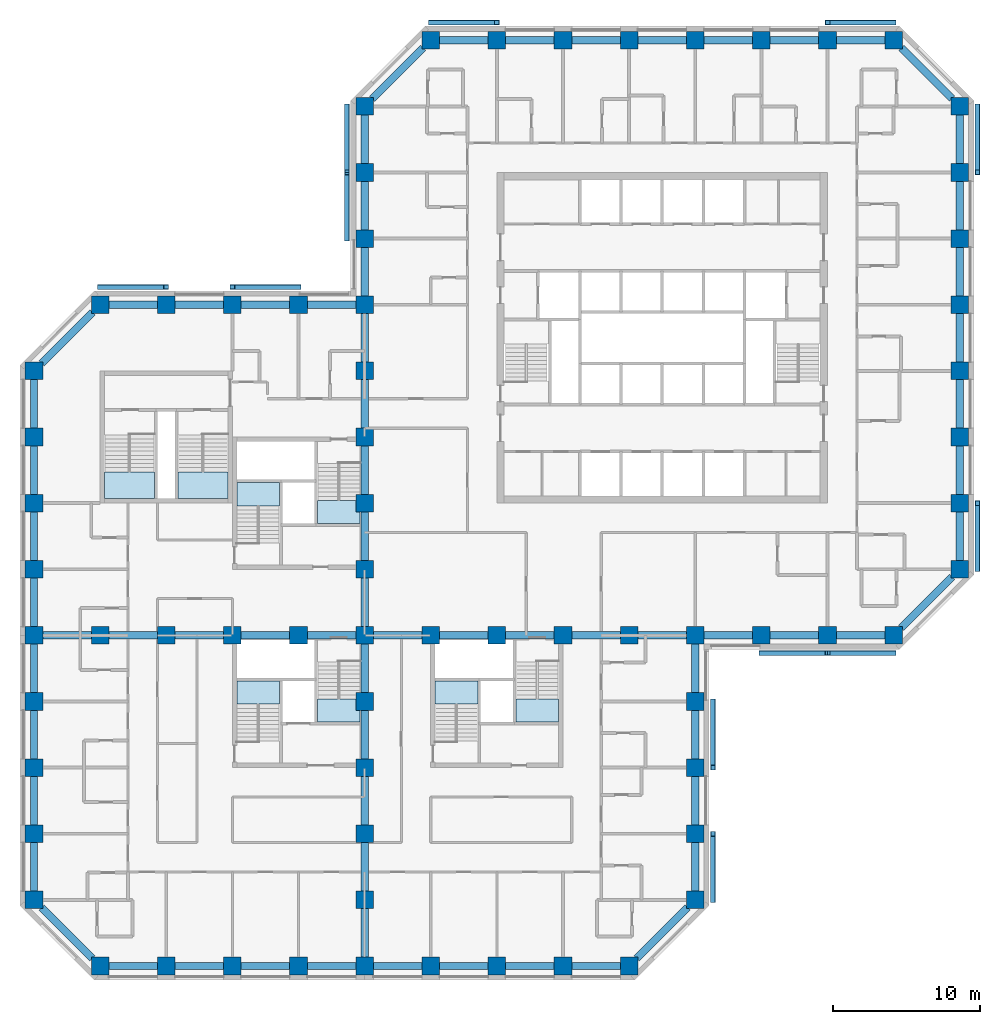
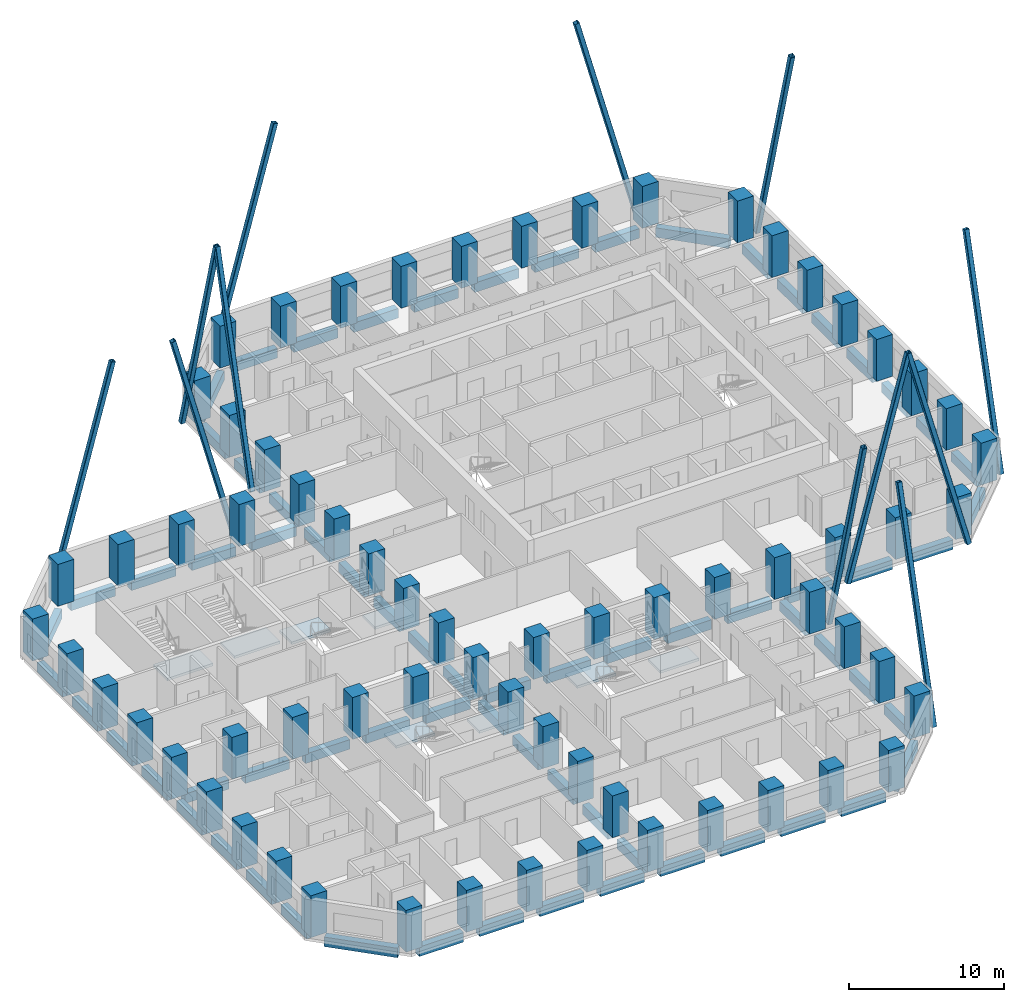
# One storey, part 1 of 14: 70 beams, 67 columns, 12 members, 8 slabs, 8 elements without a shape of their own.
"""IFC4 building model written with IfcOpenShell, lengths in metres."""

import ifcopenshell
import ifcopenshell.guid

model = None  # the IFC model being written
_history = None  # IfcOwnerHistory: only IFC2X3 demands one
_inside = {}  # id of a spatial element -> (the spatial element, [elements in it])
_under = {}  # id of a project, library or spatial element -> (it, [spatial elements below it])
_declared = {}  # id of a project -> (the project, [libraries it declares])
_typed = {}  # id of a type object -> (the type object, [elements of that type])
_made_of = {}  # id of a material, layer set ... -> (it, [elements and type objects made of it])


def new_model(schema):
    """Start an empty IFC model of exactly this schema.

    Asked for "IFC4X3", IfcOpenShell would pick the latest addendum, in which some entities
    have other attributes; the version numbers below select the first issue.
    IFC2X3 requires an IfcOwnerHistory on every rooted entity: one is made here for all.
    """
    global model, _history
    if schema == "IFC4X3":
        model = ifcopenshell.file(schema_version=(4, 3, 0, 0))
    else:
        model = ifcopenshell.file(schema=schema)
    _inside.clear()
    _under.clear()
    _declared.clear()
    _typed.clear()
    _made_of.clear()
    _history = None
    if model.schema == "IFC2X3":
        org = make("IfcOrganization", Name="unknown")
        user = make(
            "IfcPersonAndOrganization",
            ThePerson=make("IfcPerson", FamilyName="unknown"),
            TheOrganization=org,
        )
        app = make(
            "IfcApplication",
            ApplicationDeveloper=org,
            Version="unknown",
            ApplicationFullName="unknown",
            ApplicationIdentifier="unknown",
        )
        _history = make(
            "IfcOwnerHistory",
            OwningUser=user,
            OwningApplication=app,
            ChangeAction="ADDED",
            CreationDate=0,
        )
    return model


def make(cls, **values):
    """One entity of the class cls with the attributes given. An attribute that is None is left unset."""
    return model.create_entity(
        cls, **{name: value for name, value in values.items() if value is not None}
    )


def rooted(cls, **values):
    """An entity with a GlobalId (a new one), such as an element, a storey or a relation."""
    return make(cls, GlobalId=ifcopenshell.guid.new(), OwnerHistory=_history, **values)


def si_unit(unit_type, name, prefix=None):
    """IfcSIUnit, for example si_unit("LENGTHUNIT", "METRE", prefix="MILLI")."""
    return make("IfcSIUnit", UnitType=unit_type, Prefix=prefix, Name=name)


def assignment(units):
    """IfcUnitAssignment: the units of a project."""
    return None if units is None else make("IfcUnitAssignment", Units=units)


def point(xyz):
    """IfcCartesianPoint."""
    return None if xyz is None else make("IfcCartesianPoint", Coordinates=xyz)


def direction(xyz):
    """IfcDirection."""
    return None if xyz is None else make("IfcDirection", DirectionRatios=xyz)


def frame(location, z_axis=None, x_axis=None):
    """IfcAxis2Placement3D, a coordinate frame: its origin and axes. An axis left out is left unset."""
    return make(
        "IfcAxis2Placement3D",
        Location=point(location),
        Axis=direction(z_axis),
        RefDirection=direction(x_axis),
    )


def frame_2d(location, x_axis=None):
    """IfcAxis2Placement2D, a coordinate frame in the plane: its origin and x axis."""
    return make(
        "IfcAxis2Placement2D", Location=point(location), RefDirection=direction(x_axis)
    )


def origin():
    """The frame at (0, 0, 0) with its axes left unset."""
    return frame((0.0, 0.0, 0.0))


def origin_2d():
    """The frame at (0, 0) in the plane with its x axis left unset."""
    return frame_2d((0.0, 0.0))


def place(relative_to, where):
    """IfcLocalPlacement: puts the frame where relative to a parent placement (None: the world)."""
    return make(
        "IfcLocalPlacement", PlacementRelTo=relative_to, RelativePlacement=where
    )


def context(
    kind, dimensions, precision=None, world=None, true_north=None, identifier=None
):
    """IfcGeometricRepresentationContext, for example the 3D "Model" context."""
    return make(
        "IfcGeometricRepresentationContext",
        ContextIdentifier=identifier,
        ContextType=kind,
        CoordinateSpaceDimension=dimensions,
        Precision=precision,
        WorldCoordinateSystem=world,
        TrueNorth=true_north,
    )


def subcontext(parent, identifier, kind, view, scale=None):
    """IfcGeometricRepresentationSubContext, for example "Body" below "Model"."""
    return make(
        "IfcGeometricRepresentationSubContext",
        ContextIdentifier=identifier,
        ContextType=kind,
        ParentContext=parent,
        TargetScale=scale,
        TargetView=view,
    )


def project(units=None, contexts=None):
    """IfcProject with its units and contexts."""
    return rooted(
        "IfcProject",
        Name="project",
        RepresentationContexts=contexts,
        UnitsInContext=assignment(units),
    )


def spatial(cls, under=None, at=None, **own):
    """A site, building, storey or space (cls), placed at a placement, below another one or the project."""
    s = rooted(cls, ObjectPlacement=at, **own)
    if under is not None:
        _under.setdefault(under.id(), (under, []))[1].append(s)
    return s


def polyline(points):
    """IfcPolyline through the points."""
    return make("IfcPolyline", Points=[point(p) for p in points])


def profile(cls, at=None, kind="AREA", **sizes):
    """A parametric profile (cls). Its sizes go by their IFC names, for example OverallWidth=200.0."""
    return make(cls, ProfileType=kind, Position=at, **sizes)


def rectangle(**sizes):
    """IfcRectangleProfileDef."""
    return profile("IfcRectangleProfileDef", **sizes)


def hollow_rectangle(**sizes):
    """IfcRectangleHollowProfileDef."""
    return profile("IfcRectangleHollowProfileDef", **sizes)


def outline(outer, holes=None, kind="AREA"):
    """IfcArbitraryClosedProfileDef: a profile drawn as a closed curve; with holes, ...WithVoids."""
    if holes is None:
        return make("IfcArbitraryClosedProfileDef", ProfileType=kind, OuterCurve=outer)
    return make(
        "IfcArbitraryProfileDefWithVoids",
        ProfileType=kind,
        OuterCurve=outer,
        InnerCurves=holes,
    )


def extrude(swept, where, along, depth):
    """IfcExtrudedAreaSolid: the profile swept, set in the frame where, extruded along a direction by depth."""
    return make(
        "IfcExtrudedAreaSolid",
        SweptArea=swept,
        Position=where,
        ExtrudedDirection=direction(along),
        Depth=depth,
    )


def shape(context_of_items, identifier, shape_type, items):
    """IfcShapeRepresentation: the items that make up one representation, for example the "Body"."""
    return make(
        "IfcShapeRepresentation",
        ContextOfItems=context_of_items,
        RepresentationIdentifier=identifier,
        RepresentationType=shape_type,
        Items=items,
    )


def material(Name=None, Category=None):
    """IfcMaterial."""
    return make("IfcMaterial", Name=Name, Category=Category)


def layer(
    of_material, thickness, ventilated=None, Name=None, Category=None, Priority=None
):
    """IfcMaterialLayer: one layer of a wall or slab, of a material (None: an air gap)."""
    return make(
        "IfcMaterialLayer",
        Material=of_material,
        LayerThickness=thickness,
        IsVentilated=ventilated,
        Name=Name,
        Category=Category,
        Priority=Priority,
    )


def layer_set(layers, Name=None):
    """IfcMaterialLayerSet."""
    return make("IfcMaterialLayerSet", MaterialLayers=layers, LayerSetName=Name)


def material_profile(
    of_material, cross_section, Name=None, Category=None, Priority=None
):
    """IfcMaterialProfile: a cross section and its material."""
    return make(
        "IfcMaterialProfile",
        Name=Name,
        Material=of_material,
        Profile=cross_section,
        Priority=Priority,
        Category=Category,
    )


def profile_set(profiles, Name=None, composite=None):
    """IfcMaterialProfileSet."""
    return make(
        "IfcMaterialProfileSet",
        Name=Name,
        MaterialProfiles=profiles,
        CompositeProfile=composite,
    )


def made_of(thing, what):
    """Note that an element or type object is made of a material, layer set ...; save() writes the relation."""
    if what is not None:
        _made_of.setdefault(what.id(), (what, []))[1].append(thing)
    return thing


def type_object(cls, material=None, **own):
    """A type object (cls), such as IfcWallType, which elements share."""
    return made_of(rooted(cls, **own), material)


def element(
    cls,
    number,
    at=None,
    inside=None,
    cuts=None,
    type_object=None,
    material=None,
    context=None,
    identifier="Body",
    shape_type=None,
    held_by="IfcProductDefinitionShape",
    body=None,
    shapes=None,
    **own,
):
    """One element of the class cls, such as IfcWall. Its Tag is "e" and its number.

    at: its placement. inside: the storey or other place that contains it. cuts: it is an
    opening in that element (IfcRelVoidsElement). A single representation is given by context,
    identifier, shape_type and body (its items); several are given by shapes. held_by: the class
    of the entity that holds the representations. save() writes the other relations.
    """
    e = rooted(cls, Tag="e%d" % number, ObjectPlacement=at, **own)
    if body is not None:
        shapes = [shape(context, identifier, shape_type, body)]
    if shapes is not None:
        e.Representation = make(held_by, Representations=shapes)
    if inside is not None:
        _inside.setdefault(inside.id(), (inside, []))[1].append(e)
    if cuts is not None:
        rooted(
            "IfcRelVoidsElement", RelatingBuildingElement=cuts, RelatedOpeningElement=e
        )
    if type_object is not None:
        _typed.setdefault(type_object.id(), (type_object, []))[1].append(e)
    return made_of(e, material)


def aggregate(whole, parts):
    """IfcRelAggregates: a whole, such as a stair, and the parts it consists of."""
    return rooted("IfcRelAggregates", RelatingObject=whole, RelatedObjects=parts)


def save(model, path):
    """Write the relations noted so far, then the file.

    IfcRelAggregates (storeys below a building ...), IfcRelContainedInSpatialStructure (elements
    in a storey), IfcRelDefinesByType, IfcRelAssociatesMaterial and IfcRelDeclares: one each for
    every whole, place, type object, material and project.
    """
    for whole, parts in _under.values():
        aggregate(whole, parts)
    for where, things in _inside.values():
        rooted(
            "IfcRelContainedInSpatialStructure",
            RelatedElements=things,
            RelatingStructure=where,
        )
    for kind, things in _typed.values():
        rooted("IfcRelDefinesByType", RelatedObjects=things, RelatingType=kind)
    for what, things in _made_of.values():
        rooted("IfcRelAssociatesMaterial", RelatedObjects=things, RelatingMaterial=what)
    for by, libraries in _declared.values():
        rooted("IfcRelDeclares", RelatingContext=by, RelatedDefinitions=libraries)
    model.write(path)


model = new_model("IFC4")

# Units and contexts
model_context = context("Model", 3, precision=1e-05, world=origin(), true_north=direction((0.0, 1.0)))
body_context = subcontext(model_context, "Body", "Model", "MODEL_VIEW")
ifc_project = project(units=[si_unit("LENGTHUNIT", "METRE"), si_unit("AREAUNIT", "SQUARE_METRE"), si_unit("VOLUMEUNIT", "CUBIC_METRE"), si_unit("PLANEANGLEUNIT", "RADIAN"), si_unit("MASSUNIT", "GRAM", prefix="KILO")], contexts=[model_context])

# Site, building, storey
site_placement = place(None, origin())
site = spatial("IfcSite", under=ifc_project, at=site_placement, CompositionType="ELEMENT")
building_placement = place(site_placement, origin())
building = spatial("IfcBuilding", under=site, at=building_placement, Name="Quoin Convention Tower", CompositionType="ELEMENT")
storey_placement = place(building_placement, frame((0.0, 0.0, 66.0)))
storey = spatial("IfcBuildingStorey", under=building, at=storey_placement, Name="L17", CompositionType="ELEMENT", Elevation=66.0)

# Columns
ifc_material_1 = material(Name="Concrete C80", Category="concrete")
ifc_material_profile_1 = material_profile(ifc_material_1, rectangle(XDim=1.199951171875, YDim=1.199951171875, at=origin_2d()), Name="RC 1200x1200")
ifc_profile_set_1 = profile_set([ifc_material_profile_1], Name="Concrete C80")
column_type = type_object("IfcColumnType", Name="RC 1200x1200 C80", PredefinedType="COLUMN", material=ifc_profile_set_1)
for number, where, z_axis, x_axis, name in (
    (1, (18.0, 18.0, 0.0), (0.0, 0.0, 1.0), (1.0, 0.0, 0.0), "col-L17-18000_18000"),
    (2, (22.5, 18.0, 0.0), (0.0, 0.0, 1.0), (1.0, 0.0, 0.0), "col-L17-22500_18000"),
    (3, (27.0, 18.0, 0.0), (0.0, 0.0, 1.0), (1.0, 0.0, 0.0), "col-L17-27000_18000"),
    (4, (31.5, 18.0, 0.0), (0.0, 0.0, 1.0), (1.0, 0.0, 0.0), "col-L17-31500_18000"),
    (5, (36.0, 18.0, 0.0), (0.0, 0.0, 1.0), (1.0, 0.0, 0.0), "col-L17-36000_18000"),
    (6, (40.5, 18.0, 0.0), (0.0, 0.0, 1.0), (1.0, 0.0, 0.0), "col-L17-40500_18000"),
    (7, (45.0, 18.0, 0.0), (0.0, 0.0, 1.0), (1.0, 0.0, 0.0), "col-L17-45000_18000"),
    (8, (49.5, 18.0, 0.0), (0.0, 0.0, 1.0), (1.0, 0.0, 0.0), "col-L17-49500_18000"),
    (9, (54.0, 18.0, 0.0), (0.0, 0.0, 1.0), (1.0, 0.0, 0.0), "col-L17-54000_18000"),
    (10, (13.5, 22.5, 0.0), (0.0, 0.0, 1.0), (1.0, 0.0, 0.0), "col-L17-13500_22500"),
    (11, (36.0, 22.5, 0.0), (0.0, 0.0, 1.0), (1.0, 0.0, 0.0), "web-L17-36000_22500"),
    (12, (58.5, 22.5, 0.0), (0.0, 0.0, 1.0), (1.0, 0.0, 0.0), "col-L17-58500_22500"),
    (13, (13.5, 27.0, 0.0), (0.0, 0.0, 1.0), (1.0, 0.0, 0.0), "col-L17-13500_27000"),
    (14, (36.0, 27.0, 0.0), (0.0, 0.0, 1.0), (1.0, 0.0, 0.0), "web-L17-36000_27000"),
    (15, (58.5, 27.0, 0.0), (0.0, 0.0, 1.0), (1.0, 0.0, 0.0), "col-L17-58500_27000"),
    (16, (13.5, 31.5, 0.0), (0.0, 0.0, 1.0), (1.0, 0.0, 0.0), "col-L17-13500_31500"),
    (17, (36.0, 31.5, 0.0), (0.0, 0.0, 1.0), (1.0, 0.0, 0.0), "web-L17-36000_31500"),
    (18, (58.5, 31.5, 0.0), (0.0, 0.0, 1.0), (1.0, 0.0, 0.0), "col-L17-58500_31500"),
    (19, (13.5, 36.0, 0.0), (0.0, 0.0, 1.0), (1.0, 0.0, 0.0), "col-L17-13500_36000"),
    (20, (36.0, 36.0, 0.0), (0.0, 0.0, 1.0), (1.0, 0.0, 0.0), "web-L17-36000_36000"),
    (21, (58.5, 36.0, 0.0), (0.0, 0.0, 1.0), (1.0, 0.0, 0.0), "col-L17-58500_36000"),
    (22, (13.5, 40.5, 0.0), (0.0, 0.0, 1.0), (1.0, 0.0, 0.0), "col-L17-13500_40500"),
    (23, (18.0, 40.5, 0.0), (0.0, 0.0, 1.0), (1.0, 0.0, 0.0), "web-L17-18000_40500"),
    (24, (22.5, 40.5, 0.0), (0.0, 0.0, 1.0), (1.0, 0.0, 0.0), "web-L17-22500_40500"),
    (25, (27.0, 40.5, 0.0), (0.0, 0.0, 1.0), (1.0, 0.0, 0.0), "web-L17-27000_40500"),
    (26, (31.5, 40.5, 0.0), (0.0, 0.0, 1.0), (1.0, 0.0, 0.0), "web-L17-31500_40500"),
    (27, (36.0, 40.5, 0.0), (0.0, 0.0, 1.0), (1.0, 0.0, 0.0), "web-L17-36000_40500"),
    (28, (40.5, 40.5, 0.0), (0.0, 0.0, 1.0), (1.0, 0.0, 0.0), "web-L17-40500_40500"),
    (29, (45.0, 40.5, 0.0), (0.0, 0.0, 1.0), (1.0, 0.0, 0.0), "web-L17-45000_40500"),
    (30, (49.5, 40.5, 0.0), (0.0, 0.0, 1.0), (1.0, 0.0, 0.0), "web-L17-49500_40500"),
    (31, (54.0, 40.5, 0.0), (0.0, 0.0, 1.0), (1.0, 0.0, 0.0), "web-L17-54000_40500"),
    (32, (58.5, 40.5, 0.0), (0.0, 0.0, 1.0), (1.0, 0.0, 0.0), "col-L17-58500_40500"),
    (33, (63.0, 40.5, 0.0), (0.0, 0.0, 1.0), (1.0, 0.0, 0.0), "col-L17-63000_40500"),
    (34, (67.5, 40.5, 0.0), (0.0, 0.0, 1.0), (1.0, 0.0, 0.0), "col-L17-67500_40500"),
    (35, (72.0, 40.5, 0.0), (0.0, 0.0, 1.0), (1.0, 0.0, 0.0), "col-L17-72000_40500"),
    (36, (13.5, 45.0, 0.0), (0.0, 0.0, 1.0), (1.0, 0.0, 0.0), "col-L17-13500_45000"),
    (37, (36.0, 45.0, 0.0), (0.0, 0.0, 1.0), (1.0, 0.0, 0.0), "web-L17-36000_45000"),
    (38, (76.5, 45.0, 0.0), (0.0, 0.0, 1.0), (1.0, 0.0, 0.0), "col-L17-76500_45000"),
    (39, (13.5, 49.5, 0.0), (0.0, 0.0, 1.0), (1.0, 0.0, 0.0), "col-L17-13500_49500"),
    (40, (36.0, 49.5, 0.0), (0.0, 0.0, 1.0), (1.0, 0.0, 0.0), "web-L17-36000_49500"),
    (41, (76.5, 49.5, 0.0), (0.0, 0.0, 1.0), (1.0, 0.0, 0.0), "col-L17-76500_49500"),
    (42, (13.5, 54.0, 0.0), (0.0, 0.0, 1.0), (1.0, 0.0, 0.0), "col-L17-13500_54000"),
    (43, (36.0, 54.0, 0.0), (0.0, 0.0, 1.0), (1.0, 0.0, 0.0), "web-L17-36000_54000"),
    (44, (76.5, 54.0, 0.0), (0.0, 0.0, 1.0), (1.0, 0.0, 0.0), "col-L17-76500_54000"),
    (45, (13.5, 58.5, 0.0), (0.0, 0.0, 1.0), (1.0, 0.0, 0.0), "col-L17-13500_58500"),
    (46, (36.0, 58.5, 0.0), (0.0, 0.0, 1.0), (1.0, 0.0, 0.0), "web-L17-36000_58500"),
    (47, (76.5, 58.5, 0.0), (0.0, 0.0, 1.0), (1.0, 0.0, 0.0), "col-L17-76500_58500"),
    (48, (18.0, 63.0, 0.0), (0.0, 0.0, 1.0), (1.0, 0.0, 0.0), "col-L17-18000_63000"),
    (49, (22.5, 63.0, 0.0), (0.0, 0.0, 1.0), (1.0, 0.0, 0.0), "col-L17-22500_63000"),
    (50, (27.0, 63.0, 0.0), (0.0, 0.0, 1.0), (1.0, 0.0, 0.0), "col-L17-27000_63000"),
    (51, (31.5, 63.0, 0.0), (0.0, 0.0, 1.0), (1.0, 0.0, 0.0), "col-L17-31500_63000"),
    (52, (36.0, 63.0, 0.0), (0.0, 0.0, 1.0), (1.0, 0.0, 0.0), "col-L17-36000_63000"),
    (53, (76.5, 63.0, 0.0), (0.0, 0.0, 1.0), (1.0, 0.0, 0.0), "col-L17-76500_63000"),
    (54, (36.0, 67.5, 0.0), (0.0, 0.0, 1.0), (1.0, 0.0, 0.0), "col-L17-36000_67500"),
    (55, (76.5, 67.5, 0.0), (0.0, 0.0, 1.0), (1.0, 0.0, 0.0), "col-L17-76500_67500"),
    (56, (36.0, 72.0, 0.0), (0.0, 0.0, 1.0), (1.0, 0.0, 0.0), "col-L17-36000_72000"),
    (57, (76.5, 72.0, 0.0), (0.0, 0.0, 1.0), (1.0, 0.0, 0.0), "col-L17-76500_72000"),
    (58, (36.0, 76.5, 0.0), (0.0, 0.0, 1.0), (1.0, 0.0, 0.0), "col-L17-36000_76500"),
    (59, (76.5, 76.5, 0.0), (0.0, 0.0, 1.0), (1.0, 0.0, 0.0), "col-L17-76500_76500"),
    (60, (40.5, 81.0, 0.0), (0.0, 0.0, 1.0), (1.0, 0.0, 0.0), "col-L17-40500_81000"),
    (61, (45.0, 81.0, 0.0), (0.0, 0.0, 1.0), (1.0, 0.0, 0.0), "col-L17-45000_81000"),
    (62, (49.5, 81.0, 0.0), (0.0, 0.0, 1.0), (1.0, 0.0, 0.0), "col-L17-49500_81000"),
    (63, (54.0, 81.0, 0.0), (0.0, 0.0, 1.0), (1.0, 0.0, 0.0), "col-L17-54000_81000"),
    (64, (58.5, 81.0, 0.0), (0.0, 0.0, 1.0), (1.0, 0.0, 0.0), "col-L17-58500_81000"),
    (65, (63.0, 81.0, 0.0), (0.0, 0.0, 1.0), (1.0, 0.0, 0.0), "col-L17-63000_81000"),
    (66, (67.5, 81.0, 0.0), (0.0, 0.0, 1.0), (1.0, 0.0, 0.0), "col-L17-67500_81000"),
    (67, (72.0, 81.0, 0.0), (0.0, 0.0, 1.0), (1.0, 0.0, 0.0), "col-L17-72000_81000"),
):
    element("IfcColumn", number, at=place(storey_placement, frame(where, z_axis=z_axis, x_axis=x_axis)), inside=storey, type_object=column_type, Name=name, PredefinedType="COLUMN", context=body_context, shape_type="SweptSolid", body=[
        extrude(rectangle(XDim=1.199951171875, YDim=1.199951171875, at=origin_2d()), origin(), (0.0, 0.0, 1.0), 3.300048828125),
    ])

# Members
ifc_material_2 = material(Name="Steel C450L0", Category="steel")
ifc_material_profile_2 = material_profile(ifc_material_2, hollow_rectangle(XDim=0.35009765625, YDim=0.35009765625, WallThickness=0.01611328125, InnerFilletRadius=0.02392578125, OuterFilletRadius=0.0400390625, at=origin_2d()), Name="350x350x16.0SHS")
ifc_profile_set_2 = profile_set([ifc_material_profile_2], Name="Steel C450L0")
member_type = type_object("IfcMemberType", Name="Exposed brace 350x350x16.0SHS", PredefinedType="BRACE", material=ifc_profile_set_2)
for number, where, z_axis, x_axis, name in (
    (68, (31.5, 64.199951171875, -0.074951171875), (-0.261643324108, 0.0, 0.965164634117), (0.0, -1.0, 0.0), "brc-L17-31500_63000-27000_63000"),
    (69, (18.0, 64.199951171875, -0.074951171875), (0.261643324108, 0.0, 0.965164634117), (0.0, 1.0, 0.0), "brc-L17-22500_63000-18000_63000"),
    (70, (34.800048828125, 76.5, -0.074951171875), (0.0, -0.261643324108, 0.965164634117), (1.0, 0.0, 0.0), "brc-L17-36000_76500-36000_72000"),
    (71, (34.800048828125, 67.5, -0.074951171875), (0.0, 0.261643324108, 0.965164634117), (-1.0, 0.0, 0.0), "brc-L17-36000_72000-36000_67500"),
    (72, (59.699951171875, 22.5, -0.074951171875), (0.0, 0.261643324108, 0.965164634117), (-1.0, 0.0, 0.0), "brc-L17-58500_22500-58500_27000"),
    (73, (59.699951171875, 36.0, -0.074951171875), (0.0, -0.261643324108, 0.965164634117), (1.0, 0.0, 0.0), "brc-L17-58500_31500-58500_36000"),
    (74, (63.0, 39.300048828125, -0.074951171875), (0.261643324108, 0.0, 0.965164634117), (0.0, 1.0, 0.0), "brc-L17-63000_40500-67500_40500"),
    (75, (72.0, 39.300048828125, -0.074951171875), (-0.261643324108, 0.0, 0.965164634117), (0.0, -1.0, 0.0), "brc-L17-67500_40500-72000_40500"),
    (76, (72.0, 82.199951171875, -0.074951171875), (-0.261643324108, 0.0, 0.965164634117), (0.0, -1.0, 0.0), "brc-L17-72000_81000-67500_81000"),
    (77, (40.5, 82.199951171875, -0.074951171875), (0.261643324108, 0.0, 0.965164634117), (0.0, 1.0, 0.0), "brc-L17-45000_81000-40500_81000"),
    (78, (77.699951171875, 45.0, -0.074951171875), (0.0, 0.261643324108, 0.965164634117), (-1.0, 0.0, 0.0), "brc-L17-76500_45000-76500_49500"),
    (79, (77.699951171875, 76.5, -0.074951171875), (0.0, -0.261643324108, 0.965164634117), (1.0, 0.0, 0.0), "brc-L17-76500_72000-76500_76500"),
):
    element("IfcMember", number, at=place(storey_placement, frame(where, z_axis=z_axis, x_axis=x_axis)), inside=storey, type_object=member_type, Name=name, PredefinedType="BRACE", context=body_context, shape_type="SweptSolid", body=[
        extrude(hollow_rectangle(XDim=0.35009765625, YDim=0.35009765625, WallThickness=0.01611328125, InnerFilletRadius=0.02392578125, OuterFilletRadius=0.0400390625, at=origin_2d()), origin(), (0.0, 0.0, 1.0), 17.198974609375),
    ])

# Beams
ifc_material_profile_3 = material_profile(ifc_material_1, rectangle(XDim=0.5, YDim=0.75, at=origin_2d()), Name="RC 500x750")
ifc_profile_set_3 = profile_set([ifc_material_profile_3], Name="Concrete C80")
beam_type = type_object("IfcBeamType", Name="RC 500x750 C80", PredefinedType="SPANDREL", material=ifc_profile_set_3)
beam_1_placement = place(storey_placement, frame((14.01513671875, 21.98486328125, -0.594970703125), z_axis=(0.707106781187, -0.707106781187, 0.0), x_axis=(0.707106781187, 0.707106781187, 0.0)))
element("IfcBeam", 80, at=beam_1_placement, inside=storey, type_object=beam_type, Name="spd-L17-13500_22500-18000_18000", PredefinedType="SPANDREL", context=body_context, shape_type="SweptSolid", body=[
    extrude(rectangle(XDim=0.5, YDim=0.75, at=origin_2d()), origin(), (0.0, 0.0, 1.0), 4.906982421875),
])
for number, where, z_axis, x_axis, name in (
    (81, (18.60009765625, 18.0, -0.594970703125), (1.0, 0.0, 0.0), (0.0, 1.0, 0.0), "spd-L17-18000_18000-22500_18000"),
    (82, (23.10009765625, 18.0, -0.594970703125), (1.0, 0.0, 0.0), (0.0, 1.0, 0.0), "spd-L17-22500_18000-27000_18000"),
    (83, (27.60009765625, 18.0, -0.594970703125), (1.0, 0.0, 0.0), (0.0, 1.0, 0.0), "spd-L17-27000_18000-31500_18000"),
    (84, (32.10009765625, 18.0, -0.594970703125), (1.0, 0.0, 0.0), (0.0, 1.0, 0.0), "spd-L17-31500_18000-36000_18000"),
    (85, (36.60009765625, 18.0, -0.594970703125), (1.0, 0.0, 0.0), (0.0, 1.0, 0.0), "spd-L17-36000_18000-40500_18000"),
    (86, (41.10009765625, 18.0, -0.594970703125), (1.0, 0.0, 0.0), (0.0, 1.0, 0.0), "spd-L17-40500_18000-45000_18000"),
    (87, (45.60009765625, 18.0, -0.594970703125), (1.0, 0.0, 0.0), (0.0, 1.0, 0.0), "spd-L17-45000_18000-49500_18000"),
    (88, (50.10009765625, 18.0, -0.594970703125), (1.0, 0.0, 0.0), (0.0, 1.0, 0.0), "spd-L17-49500_18000-54000_18000"),
):
    element("IfcBeam", number, at=place(storey_placement, frame(where, z_axis=z_axis, x_axis=x_axis)), inside=storey, type_object=beam_type, Name=name, PredefinedType="SPANDREL", context=body_context, shape_type="SweptSolid", body=[
        extrude(rectangle(XDim=0.5, YDim=0.75, at=origin_2d()), origin(), (0.0, 0.0, 1.0), 3.2998046875),
    ])
beam_2_placement = place(storey_placement, frame((54.51513671875, 18.51513671875, -0.594970703125), z_axis=(0.707106781187, 0.707106781187, 0.0), x_axis=(-0.707106781187, 0.707106781187, 0.0)))
element("IfcBeam", 89, at=beam_2_placement, inside=storey, type_object=beam_type, Name="spd-L17-54000_18000-58500_22500", PredefinedType="SPANDREL", context=body_context, shape_type="SweptSolid", body=[
    extrude(rectangle(XDim=0.5, YDim=0.75, at=origin_2d()), origin(), (0.0, 0.0, 1.0), 4.906982421875),
])
for number, where, z_axis, x_axis, name in (
    (90, (58.5, 23.10009765625, -0.594970703125), (0.0, 1.0, 0.0), (-1.0, 0.0, 0.0), "spd-L17-58500_22500-58500_27000"),
    (91, (58.5, 27.60009765625, -0.594970703125), (0.0, 1.0, 0.0), (-1.0, 0.0, 0.0), "spd-L17-58500_27000-58500_31500"),
    (92, (58.5, 32.10009765625, -0.594970703125), (0.0, 1.0, 0.0), (-1.0, 0.0, 0.0), "spd-L17-58500_31500-58500_36000"),
    (93, (58.5, 36.60009765625, -0.594970703125), (0.0, 1.0, 0.0), (-1.0, 0.0, 0.0), "spd-L17-58500_36000-58500_40500"),
    (94, (59.10009765625, 40.5, -0.594970703125), (1.0, 0.0, 0.0), (0.0, 1.0, 0.0), "spd-L17-58500_40500-63000_40500"),
    (95, (63.60009765625, 40.5, -0.594970703125), (1.0, 0.0, 0.0), (0.0, 1.0, 0.0), "spd-L17-63000_40500-67500_40500"),
    (96, (68.10009765625, 40.5, -0.594970703125), (1.0, 0.0, 0.0), (0.0, 1.0, 0.0), "spd-L17-67500_40500-72000_40500"),
):
    element("IfcBeam", number, at=place(storey_placement, frame(where, z_axis=z_axis, x_axis=x_axis)), inside=storey, type_object=beam_type, Name=name, PredefinedType="SPANDREL", context=body_context, shape_type="SweptSolid", body=[
        extrude(rectangle(XDim=0.5, YDim=0.75, at=origin_2d()), origin(), (0.0, 0.0, 1.0), 3.2998046875),
    ])
beam_3_placement = place(storey_placement, frame((72.51513671875, 41.01513671875, -0.594970703125), z_axis=(0.707106781187, 0.707106781187, 0.0), x_axis=(-0.707106781187, 0.707106781187, 0.0)))
element("IfcBeam", 97, at=beam_3_placement, inside=storey, type_object=beam_type, Name="spd-L17-72000_40500-76500_45000", PredefinedType="SPANDREL", context=body_context, shape_type="SweptSolid", body=[
    extrude(rectangle(XDim=0.5, YDim=0.75, at=origin_2d()), origin(), (0.0, 0.0, 1.0), 4.906982421875),
])
for number, where, z_axis, x_axis, name in (
    (98, (76.5, 45.60009765625, -0.594970703125), (0.0, 1.0, 0.0), (-1.0, 0.0, 0.0), "spd-L17-76500_45000-76500_49500"),
    (99, (76.5, 50.10009765625, -0.594970703125), (0.0, 1.0, 0.0), (-1.0, 0.0, 0.0), "spd-L17-76500_49500-76500_54000"),
    (100, (76.5, 54.60009765625, -0.594970703125), (0.0, 1.0, 0.0), (-1.0, 0.0, 0.0), "spd-L17-76500_54000-76500_58500"),
    (101, (76.5, 59.10009765625, -0.594970703125), (0.0, 1.0, 0.0), (-1.0, 0.0, 0.0), "spd-L17-76500_58500-76500_63000"),
    (102, (76.5, 63.60009765625, -0.594970703125), (0.0, 1.0, 0.0), (-1.0, 0.0, 0.0), "spd-L17-76500_63000-76500_67500"),
    (103, (76.5, 68.10009765625, -0.594970703125), (0.0, 1.0, 0.0), (-1.0, 0.0, 0.0), "spd-L17-76500_67500-76500_72000"),
    (104, (76.5, 72.60009765625, -0.594970703125), (0.0, 1.0, 0.0), (-1.0, 0.0, 0.0), "spd-L17-76500_72000-76500_76500"),
):
    element("IfcBeam", number, at=place(storey_placement, frame(where, z_axis=z_axis, x_axis=x_axis)), inside=storey, type_object=beam_type, Name=name, PredefinedType="SPANDREL", context=body_context, shape_type="SweptSolid", body=[
        extrude(rectangle(XDim=0.5, YDim=0.75, at=origin_2d()), origin(), (0.0, 0.0, 1.0), 3.2998046875),
    ])
beam_4_placement = place(storey_placement, frame((75.98486328125, 77.01513671875, -0.594970703125), z_axis=(-0.707106781187, 0.707106781187, 0.0), x_axis=(-0.707106781187, -0.707106781187, 0.0)))
element("IfcBeam", 105, at=beam_4_placement, inside=storey, type_object=beam_type, Name="spd-L17-76500_76500-72000_81000", PredefinedType="SPANDREL", context=body_context, shape_type="SweptSolid", body=[
    extrude(rectangle(XDim=0.5, YDim=0.75, at=origin_2d()), origin(), (0.0, 0.0, 1.0), 4.906982421875),
])
for number, where, z_axis, x_axis, name in (
    (106, (71.39990234375, 81.0, -0.594970703125), (-1.0, 0.0, 0.0), (0.0, -1.0, 0.0), "spd-L17-72000_81000-67500_81000"),
    (107, (66.89990234375, 81.0, -0.594970703125), (-1.0, 0.0, 0.0), (0.0, -1.0, 0.0), "spd-L17-67500_81000-63000_81000"),
    (108, (62.39990234375, 81.0, -0.594970703125), (-1.0, 0.0, 0.0), (0.0, -1.0, 0.0), "spd-L17-63000_81000-58500_81000"),
    (109, (57.89990234375, 81.0, -0.594970703125), (-1.0, 0.0, 0.0), (0.0, -1.0, 0.0), "spd-L17-58500_81000-54000_81000"),
    (110, (53.39990234375, 81.0, -0.594970703125), (-1.0, 0.0, 0.0), (0.0, -1.0, 0.0), "spd-L17-54000_81000-49500_81000"),
    (111, (48.89990234375, 81.0, -0.594970703125), (-1.0, 0.0, 0.0), (0.0, -1.0, 0.0), "spd-L17-49500_81000-45000_81000"),
    (112, (44.39990234375, 81.0, -0.594970703125), (-1.0, 0.0, 0.0), (0.0, -1.0, 0.0), "spd-L17-45000_81000-40500_81000"),
):
    element("IfcBeam", number, at=place(storey_placement, frame(where, z_axis=z_axis, x_axis=x_axis)), inside=storey, type_object=beam_type, Name=name, PredefinedType="SPANDREL", context=body_context, shape_type="SweptSolid", body=[
        extrude(rectangle(XDim=0.5, YDim=0.75, at=origin_2d()), origin(), (0.0, 0.0, 1.0), 3.2998046875),
    ])
beam_5_placement = place(storey_placement, frame((39.98486328125, 80.48486328125, -0.594970703125), z_axis=(-0.707106781187, -0.707106781187, 0.0), x_axis=(0.707106781187, -0.707106781187, 0.0)))
element("IfcBeam", 113, at=beam_5_placement, inside=storey, type_object=beam_type, Name="spd-L17-40500_81000-36000_76500", PredefinedType="SPANDREL", context=body_context, shape_type="SweptSolid", body=[
    extrude(rectangle(XDim=0.5, YDim=0.75, at=origin_2d()), origin(), (0.0, 0.0, 1.0), 4.906982421875),
])
for number, where, z_axis, x_axis, name in (
    (114, (36.0, 75.89990234375, -0.594970703125), (0.0, -1.0, 0.0), (1.0, 0.0, 0.0), "spd-L17-36000_76500-36000_72000"),
    (115, (36.0, 71.39990234375, -0.594970703125), (0.0, -1.0, 0.0), (1.0, 0.0, 0.0), "spd-L17-36000_72000-36000_67500"),
    (116, (36.0, 66.89990234375, -0.594970703125), (0.0, -1.0, 0.0), (1.0, 0.0, 0.0), "spd-L17-36000_67500-36000_63000"),
    (117, (35.39990234375, 63.0, -0.594970703125), (-1.0, 0.0, 0.0), (0.0, -1.0, 0.0), "spd-L17-36000_63000-31500_63000"),
    (118, (30.89990234375, 63.0, -0.594970703125), (-1.0, 0.0, 0.0), (0.0, -1.0, 0.0), "spd-L17-31500_63000-27000_63000"),
    (119, (26.39990234375, 63.0, -0.594970703125), (-1.0, 0.0, 0.0), (0.0, -1.0, 0.0), "spd-L17-27000_63000-22500_63000"),
    (120, (21.89990234375, 63.0, -0.594970703125), (-1.0, 0.0, 0.0), (0.0, -1.0, 0.0), "spd-L17-22500_63000-18000_63000"),
):
    element("IfcBeam", number, at=place(storey_placement, frame(where, z_axis=z_axis, x_axis=x_axis)), inside=storey, type_object=beam_type, Name=name, PredefinedType="SPANDREL", context=body_context, shape_type="SweptSolid", body=[
        extrude(rectangle(XDim=0.5, YDim=0.75, at=origin_2d()), origin(), (0.0, 0.0, 1.0), 3.2998046875),
    ])
beam_6_placement = place(storey_placement, frame((17.48486328125, 62.48486328125, -0.594970703125), z_axis=(-0.707106781187, -0.707106781187, 0.0), x_axis=(0.707106781187, -0.707106781187, 0.0)))
element("IfcBeam", 121, at=beam_6_placement, inside=storey, type_object=beam_type, Name="spd-L17-18000_63000-13500_58500", PredefinedType="SPANDREL", context=body_context, shape_type="SweptSolid", body=[
    extrude(rectangle(XDim=0.5, YDim=0.75, at=origin_2d()), origin(), (0.0, 0.0, 1.0), 4.906982421875),
])
for number, where, z_axis, x_axis, name in (
    (122, (13.5, 57.89990234375, -0.594970703125), (0.0, -1.0, 0.0), (1.0, 0.0, 0.0), "spd-L17-13500_58500-13500_54000"),
    (123, (13.5, 53.39990234375, -0.594970703125), (0.0, -1.0, 0.0), (1.0, 0.0, 0.0), "spd-L17-13500_54000-13500_49500"),
    (124, (13.5, 48.89990234375, -0.594970703125), (0.0, -1.0, 0.0), (1.0, 0.0, 0.0), "spd-L17-13500_49500-13500_45000"),
    (125, (13.5, 44.39990234375, -0.594970703125), (0.0, -1.0, 0.0), (1.0, 0.0, 0.0), "spd-L17-13500_45000-13500_40500"),
    (126, (13.5, 39.89990234375, -0.594970703125), (0.0, -1.0, 0.0), (1.0, 0.0, 0.0), "spd-L17-13500_40500-13500_36000"),
    (127, (13.5, 35.39990234375, -0.594970703125), (0.0, -1.0, 0.0), (1.0, 0.0, 0.0), "spd-L17-13500_36000-13500_31500"),
    (128, (13.5, 30.89990234375, -0.594970703125), (0.0, -1.0, 0.0), (1.0, 0.0, 0.0), "spd-L17-13500_31500-13500_27000"),
    (129, (13.5, 26.39990234375, -0.594970703125), (0.0, -1.0, 0.0), (1.0, 0.0, 0.0), "spd-L17-13500_27000-13500_22500"),
    (130, (14.10009765625, 40.5, -0.594970703125), (1.0, 0.0, 0.0), (0.0, 1.0, 0.0), "spd-L17-13500_40500-18000_40500"),
    (131, (18.60009765625, 40.5, -0.594970703125), (1.0, 0.0, 0.0), (0.0, 1.0, 0.0), "spd-L17-18000_40500-22500_40500"),
    (132, (23.10009765625, 40.5, -0.594970703125), (1.0, 0.0, 0.0), (0.0, 1.0, 0.0), "spd-L17-22500_40500-27000_40500"),
    (133, (27.60009765625, 40.5, -0.594970703125), (1.0, 0.0, 0.0), (0.0, 1.0, 0.0), "spd-L17-27000_40500-31500_40500"),
    (134, (32.10009765625, 40.5, -0.594970703125), (1.0, 0.0, 0.0), (0.0, 1.0, 0.0), "spd-L17-31500_40500-36000_40500"),
    (135, (36.60009765625, 40.5, -0.594970703125), (1.0, 0.0, 0.0), (0.0, 1.0, 0.0), "spd-L17-36000_40500-40500_40500"),
    (136, (41.10009765625, 40.5, -0.594970703125), (1.0, 0.0, 0.0), (0.0, 1.0, 0.0), "spd-L17-40500_40500-45000_40500"),
    (137, (45.60009765625, 40.5, -0.594970703125), (1.0, 0.0, 0.0), (0.0, 1.0, 0.0), "spd-L17-45000_40500-49500_40500"),
    (138, (50.10009765625, 40.5, -0.594970703125), (1.0, 0.0, 0.0), (0.0, 1.0, 0.0), "spd-L17-49500_40500-54000_40500"),
    (139, (54.60009765625, 40.5, -0.594970703125), (1.0, 0.0, 0.0), (0.0, 1.0, 0.0), "spd-L17-54000_40500-58500_40500"),
    (140, (36.0, 18.60009765625, -0.594970703125), (0.0, 1.0, 0.0), (-1.0, 0.0, 0.0), "spd-L17-36000_18000-36000_22500"),
    (141, (36.0, 23.10009765625, -0.594970703125), (0.0, 1.0, 0.0), (-1.0, 0.0, 0.0), "spd-L17-36000_22500-36000_27000"),
    (142, (36.0, 27.60009765625, -0.594970703125), (0.0, 1.0, 0.0), (-1.0, 0.0, 0.0), "spd-L17-36000_27000-36000_31500"),
    (143, (36.0, 32.10009765625, -0.594970703125), (0.0, 1.0, 0.0), (-1.0, 0.0, 0.0), "spd-L17-36000_31500-36000_36000"),
    (144, (36.0, 36.60009765625, -0.594970703125), (0.0, 1.0, 0.0), (-1.0, 0.0, 0.0), "spd-L17-36000_36000-36000_40500"),
    (145, (36.0, 41.10009765625, -0.594970703125), (0.0, 1.0, 0.0), (-1.0, 0.0, 0.0), "spd-L17-36000_40500-36000_45000"),
    (146, (36.0, 45.60009765625, -0.594970703125), (0.0, 1.0, 0.0), (-1.0, 0.0, 0.0), "spd-L17-36000_45000-36000_49500"),
    (147, (36.0, 50.10009765625, -0.594970703125), (0.0, 1.0, 0.0), (-1.0, 0.0, 0.0), "spd-L17-36000_49500-36000_54000"),
    (148, (36.0, 54.60009765625, -0.594970703125), (0.0, 1.0, 0.0), (-1.0, 0.0, 0.0), "spd-L17-36000_54000-36000_58500"),
    (149, (36.0, 59.10009765625, -0.594970703125), (0.0, 1.0, 0.0), (-1.0, 0.0, 0.0), "spd-L17-36000_58500-36000_63000"),
):
    element("IfcBeam", number, at=place(storey_placement, frame(where, z_axis=z_axis, x_axis=x_axis)), inside=storey, type_object=beam_type, Name=name, PredefinedType="SPANDREL", context=body_context, shape_type="SweptSolid", body=[
        extrude(rectangle(XDim=0.5, YDim=0.75, at=origin_2d()), origin(), (0.0, 0.0, 1.0), 3.2998046875),
    ])

# Stair, slab
ifc_material_3 = material(Name="Concrete C40", Category="concrete")
stair_type_1 = type_object("IfcStairType", Name="Exit stair two-flight 1350", PredefinedType="HALF_TURN_STAIR", material=ifc_material_3)
stair_1_placement = place(storey_placement, origin())
stair_1 = element("IfcStair", 150, at=stair_1_placement, inside=storey, type_object=stair_type_1, Name="SD3 L17", PredefinedType="HALF_TURN_STAIR")
ifc_layer = layer(ifc_material_3, 0.199951171875)
ifc_layer_set = layer_set([ifc_layer], Name="Concrete C40")
slab_type = type_object("IfcSlabType", Name="Stair landing 200", PredefinedType="LANDING", material=ifc_layer_set)
slab_1_placement = place(storey_placement, frame((0.0, 0.0, 1.449951171875)))
slab_1 = element("IfcSlab", 151, at=slab_1_placement, type_object=slab_type, Name="ST3 landing 1", PredefinedType="LANDING", context=body_context, shape_type="SweptSolid", body=[
    extrude(outline(polyline([(27.300048828125, 49.320068359375), (30.199951171875, 49.320068359375), (30.199951171875, 50.89990234375), (27.300048828125, 50.89990234375), (27.300048828125, 49.320068359375)])), origin(), (0.0, 0.0, 1.0), 0.199951171875),
])
aggregate(stair_1, [slab_1])

stair_2_placement = place(storey_placement, origin())
stair_2 = element("IfcStair", 152, at=stair_2_placement, inside=storey, type_object=stair_type_1, Name="SD4 L17", PredefinedType="HALF_TURN_STAIR")
slab_2_placement = place(storey_placement, frame((0.0, 0.0, 1.449951171875)))
slab_2 = element("IfcSlab", 153, at=slab_2_placement, type_object=slab_type, Name="ST4 landing 1", PredefinedType="LANDING", context=body_context, shape_type="SweptSolid", body=[
    extrude(outline(polyline([(35.699951171875, 49.679931640625), (32.800048828125, 49.679931640625), (32.800048828125, 48.10009765625), (35.699951171875, 48.10009765625), (35.699951171875, 49.679931640625)])), origin(), (0.0, 0.0, 1.0), 0.199951171875),
])
aggregate(stair_2, [slab_2])

stair_3_placement = place(storey_placement, origin())
stair_3 = element("IfcStair", 154, at=stair_3_placement, inside=storey, type_object=stair_type_1, Name="SD5 L17", PredefinedType="HALF_TURN_STAIR")
slab_3_placement = place(storey_placement, frame((0.0, 0.0, 1.449951171875)))
slab_3 = element("IfcSlab", 155, at=slab_3_placement, type_object=slab_type, Name="ST5 landing 1", PredefinedType="LANDING", context=body_context, shape_type="SweptSolid", body=[
    extrude(outline(polyline([(40.800048828125, 35.820068359375), (43.699951171875, 35.820068359375), (43.699951171875, 37.39990234375), (40.800048828125, 37.39990234375), (40.800048828125, 35.820068359375)])), origin(), (0.0, 0.0, 1.0), 0.199951171875),
])
aggregate(stair_3, [slab_3])

stair_4_placement = place(storey_placement, origin())
stair_4 = element("IfcStair", 156, at=stair_4_placement, inside=storey, type_object=stair_type_1, Name="SD6 L17", PredefinedType="HALF_TURN_STAIR")
slab_4_placement = place(storey_placement, frame((0.0, 0.0, 1.449951171875)))
slab_4 = element("IfcSlab", 157, at=slab_4_placement, type_object=slab_type, Name="ST6 landing 1", PredefinedType="LANDING", context=body_context, shape_type="SweptSolid", body=[
    extrude(outline(polyline([(49.199951171875, 36.179931640625), (46.300048828125, 36.179931640625), (46.300048828125, 34.60009765625), (49.199951171875, 34.60009765625), (49.199951171875, 36.179931640625)])), origin(), (0.0, 0.0, 1.0), 0.199951171875),
])
aggregate(stair_4, [slab_4])

stair_5_placement = place(storey_placement, origin())
stair_5 = element("IfcStair", 158, at=stair_5_placement, inside=storey, type_object=stair_type_1, Name="SD7 L17", PredefinedType="HALF_TURN_STAIR")
slab_5_placement = place(storey_placement, frame((0.0, 0.0, 1.449951171875)))
slab_5 = element("IfcSlab", 159, at=slab_5_placement, type_object=slab_type, Name="ST7 landing 1", PredefinedType="LANDING", context=body_context, shape_type="SweptSolid", body=[
    extrude(outline(polyline([(27.300048828125, 35.820068359375), (30.199951171875, 35.820068359375), (30.199951171875, 37.39990234375), (27.300048828125, 37.39990234375), (27.300048828125, 35.820068359375)])), origin(), (0.0, 0.0, 1.0), 0.199951171875),
])
aggregate(stair_5, [slab_5])

stair_6_placement = place(storey_placement, origin())
stair_6 = element("IfcStair", 160, at=stair_6_placement, inside=storey, type_object=stair_type_1, Name="SD8 L17", PredefinedType="HALF_TURN_STAIR")
slab_6_placement = place(storey_placement, frame((0.0, 0.0, 1.449951171875)))
slab_6 = element("IfcSlab", 161, at=slab_6_placement, type_object=slab_type, Name="ST8 landing 1", PredefinedType="LANDING", context=body_context, shape_type="SweptSolid", body=[
    extrude(outline(polyline([(35.699951171875, 36.179931640625), (32.800048828125, 36.179931640625), (32.800048828125, 34.60009765625), (35.699951171875, 34.60009765625), (35.699951171875, 36.179931640625)])), origin(), (0.0, 0.0, 1.0), 0.199951171875),
])
aggregate(stair_6, [slab_6])

stair_type_2 = type_object("IfcStairType", Name="Exit stair two-flight 1600", PredefinedType="HALF_TURN_STAIR", material=ifc_material_3)
stair_7_placement = place(storey_placement, origin())
stair_7 = element("IfcStair", 162, at=stair_7_placement, inside=storey, type_object=stair_type_2, Name="SD11 L17", PredefinedType="HALF_TURN_STAIR")
slab_7_placement = place(storey_placement, frame((0.0, 0.0, 1.449951171875)))
slab_7 = element("IfcSlab", 163, at=slab_7_placement, type_object=slab_type, Name="ST11 landing 1", PredefinedType="LANDING", context=body_context, shape_type="SweptSolid", body=[
    extrude(outline(polyline([(21.699951171875, 51.6298828125), (18.300048828125, 51.6298828125), (18.300048828125, 49.800048828125), (21.699951171875, 49.800048828125), (21.699951171875, 51.6298828125)])), origin(), (0.0, 0.0, 1.0), 0.199951171875),
])
aggregate(stair_7, [slab_7])

stair_8_placement = place(storey_placement, origin())
stair_8 = element("IfcStair", 164, at=stair_8_placement, inside=storey, type_object=stair_type_2, Name="SD12 L17", PredefinedType="HALF_TURN_STAIR")
slab_8_placement = place(storey_placement, frame((0.0, 0.0, 1.449951171875)))
slab_8 = element("IfcSlab", 165, at=slab_8_placement, type_object=slab_type, Name="ST12 landing 1", PredefinedType="LANDING", context=body_context, shape_type="SweptSolid", body=[
    extrude(outline(polyline([(26.699951171875, 51.6298828125), (23.300048828125, 51.6298828125), (23.300048828125, 49.800048828125), (26.699951171875, 49.800048828125), (26.699951171875, 51.6298828125)])), origin(), (0.0, 0.0, 1.0), 0.199951171875),
])
aggregate(stair_8, [slab_8])

save(model, "model.ifc")
